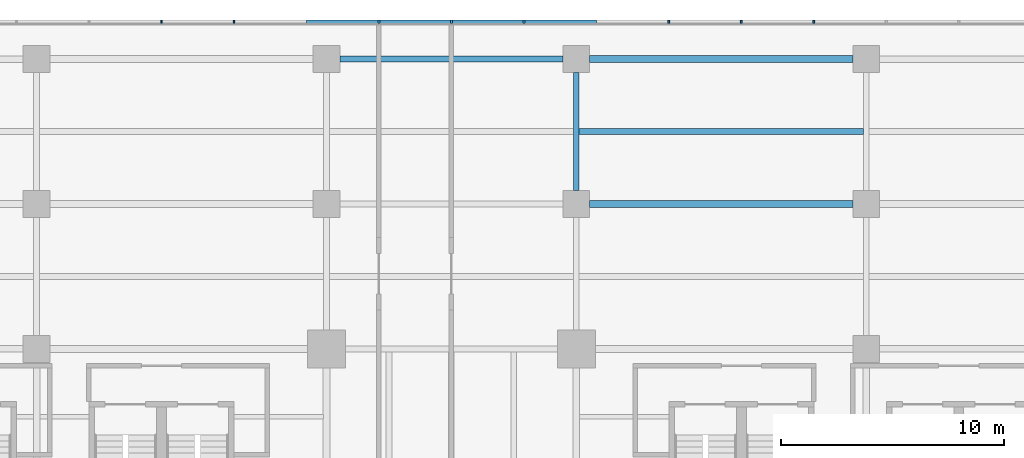
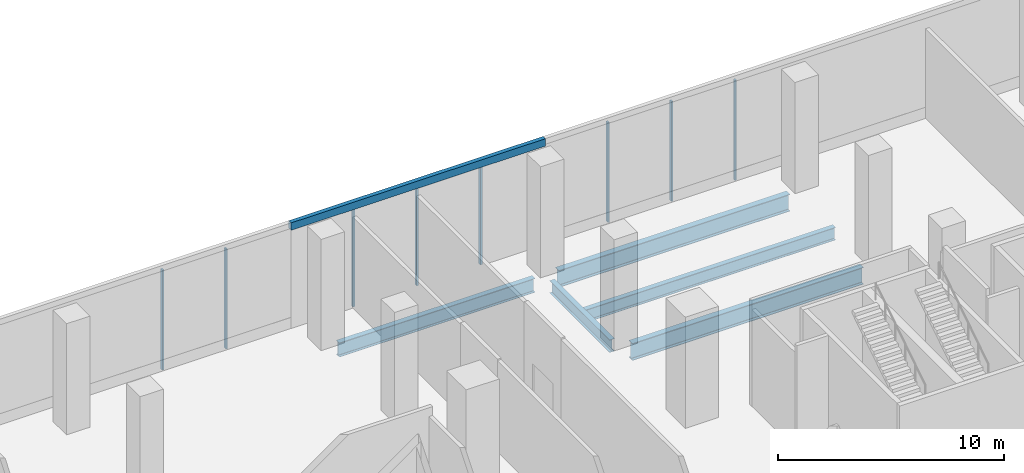
# One storey, part 25 of 41: 9 members, 5 beams, 3 elements without a shape of their own.
"""IFC4 building model written with IfcOpenShell, lengths in metres."""

from ifc_helpers import new_model, si_unit, direction, frame, origin, origin_2d, place, context, subcontext, project, spatial, polyline, rectangle, i_section, outline, extrude, source, transform, mapped, material, layer, layer_set, material_profile, profile_set, type_object, element, aggregate, save


model = new_model("IFC4")

# Units and contexts
model_context = context("Model", 3, precision=1e-05, world=origin(), true_north=direction((0.0, 1.0)))
body_context = subcontext(model_context, "Body", "Model", "MODEL_VIEW")
ifc_project = project(units=[si_unit("LENGTHUNIT", "METRE"), si_unit("AREAUNIT", "SQUARE_METRE"), si_unit("VOLUMEUNIT", "CUBIC_METRE"), si_unit("PLANEANGLEUNIT", "RADIAN"), si_unit("MASSUNIT", "GRAM", prefix="KILO")], contexts=[model_context])

# Site, building, storey
site_placement = place(None, origin())
site = spatial("IfcSite", under=ifc_project, at=site_placement, CompositionType="ELEMENT")
building_placement = place(site_placement, origin())
building = spatial("IfcBuilding", under=site, at=building_placement, Name="Trellis Farm Tower", CompositionType="ELEMENT")
storey_placement = place(building_placement, frame((0.0, 0.0, 8.0)))
storey = spatial("IfcBuildingStorey", under=building, at=storey_placement, Name="L01", CompositionType="ELEMENT", Elevation=8.0)

# Curtain wall, member
ifc_material_1 = material(Name="Aluminium and glass curtain wall", Category="aluminium")
ifc_layer_1 = layer(ifc_material_1, 0.2099609375)
ifc_layer_set_1 = layer_set([ifc_layer_1], Name="LOBBY CURTAIN WALL CW4")
curtain_wall_type_1 = type_object("IfcCurtainWallType", Name="LOBBY CURTAIN WALL CW4", PredefinedType="NOTDEFINED", material=ifc_layer_set_1)
placement = place(storey_placement, origin())
curtain_wall_1 = element("IfcCurtainWall", 1, at=placement, inside=storey, type_object=curtain_wall_type_1, Name="CW4 002", PredefinedType="NOTDEFINED")
ifc_material_2 = material(Name="Aluminium extrusion 6063-T6", Category="aluminium")
ifc_layer_2 = layer(ifc_material_2, 0.2099609375)
ifc_layer_set_2 = layer_set([ifc_layer_2], Name="Aluminium extrusion 6063-T6")
member_type_1 = type_object("IfcMemberType", Name="CW4 TRANSOM 210x400", PredefinedType="USERDEFINED", material=ifc_layer_set_2)
member_1_placement = place(storey_placement, frame((0.0, 0.0, 5.300048828125)))
member_1 = element("IfcMember", 2, at=member_1_placement, type_object=member_type_1, Name="TR4 002", ObjectType="TRANSOM", PredefinedType="USERDEFINED", context=body_context, shape_type="SweptSolid", body=[
    extrude(outline(polyline([(6.5, 45.5), (-6.5, 45.5), (-6.5, 45.2900390625), (6.5, 45.2900390625), (6.5, 45.5)])), origin(), (0.0, 0.0, 1.0), 0.39990234375),
])

# Beams
ifc_material_3 = material(Name="Steel S355", Category="steel")
ifc_material_profile_1 = material_profile(ifc_material_3, i_section(OverallWidth=0.253662109375, OverallDepth=0.68359375, WebThickness=0.012451171875, FlangeThickness=0.021728515625, FilletRadius=0.01513671875, at=origin_2d()), Name="UB 686x254x140")
ifc_profile_set_1 = profile_set([ifc_material_profile_1], Name="Steel S355")
beam_type_1 = type_object("IfcBeamType", Name="UB 686x254x140", PredefinedType="BEAM", material=ifc_profile_set_1)
shared_shape_1 = source(origin(), body_context, "Body", "SweptSolid", [
    extrude(i_section(OverallWidth=0.253662109375, OverallDepth=0.68359375, WebThickness=0.012451171875, FlangeThickness=0.021728515625, FilletRadius=0.01513671875, at=origin_2d()), origin(), (0.0, 0.0, 1.0), 5.2998046875),
])
beam_1_placement = place(storey_placement, frame((5.60009765625, 37.85009765625, -0.641845703125), z_axis=(0.0, 1.0, 0.0), x_axis=(-1.0, 0.0, 0.0)))
element("IfcBeam", 3, at=beam_1_placement, inside=storey, type_object=beam_type_1, Name="Girder", PredefinedType="BEAM", context=body_context, shape_type="MappedRepresentation", body=[
    mapped(shared_shape_1, transform((0.0, 0.0, 0.0))),
])
ifc_material_profile_2 = material_profile(ifc_material_3, i_section(OverallWidth=0.305419921875, OverallDepth=0.91845703125, WebThickness=0.017333984375, FlangeThickness=0.02783203125, FilletRadius=0.01904296875, at=origin_2d()), Name="UB 914x305x253")
ifc_profile_set_2 = profile_set([ifc_material_profile_2], Name="Steel S355")
beam_type_2 = type_object("IfcBeamType", Name="UB 914x305x253", PredefinedType="BEAM", material=ifc_profile_set_2)
shared_shape_2 = source(origin(), body_context, "Body", "SweptSolid", [
    extrude(i_section(OverallWidth=0.305419921875, OverallDepth=0.91845703125, WebThickness=0.017333984375, FlangeThickness=0.02783203125, FilletRadius=0.01904296875, at=origin_2d()), origin(), (0.0, 0.0, 1.0), 11.800048828125),
])
for number, where, z_axis, x_axis, name in (
    (4, (6.199951171875, 37.25, -0.75927734375), (1.0, 0.0, 0.0), (0.0, 1.0, 0.0), "Girder"),
    (5, (6.199951171875, 43.75, -0.75927734375), (1.0, 0.0, 0.0), (0.0, 1.0, 0.0), "Girder"),
):
    element("IfcBeam", number, at=place(storey_placement, frame(where, z_axis=z_axis, x_axis=x_axis)), inside=storey, type_object=beam_type_2, Name=name, PredefinedType="BEAM", context=body_context, shape_type="MappedRepresentation", body=[
        mapped(shared_shape_2, transform((0.0, 0.0, 0.0))),
    ])
ifc_material_profile_3 = material_profile(ifc_material_3, i_section(OverallWidth=0.2666015625, OverallDepth=0.76220703125, WebThickness=0.014404296875, FlangeThickness=0.021484375, FilletRadius=0.0166015625, at=origin_2d()), Name="UB 762x267x173")
ifc_profile_set_3 = profile_set([ifc_material_profile_3], Name="Steel S355")
beam_type_3 = type_object("IfcBeamType", Name="UB 762x267x173", PredefinedType="BEAM", material=ifc_profile_set_3)
shared_shape_3 = source(origin(), body_context, "Body", "SweptSolid", [
    extrude(i_section(OverallWidth=0.2666015625, OverallDepth=0.76220703125, WebThickness=0.014404296875, FlangeThickness=0.021484375, FilletRadius=0.0166015625, at=origin_2d()), origin(), (0.0, 0.0, 1.0), 10.0),
])
beam_2_placement = place(storey_placement, frame((-5.0, 43.75, -0.68115234375), z_axis=(1.0, 0.0, 0.0), x_axis=(0.0, 1.0, 0.0)))
element("IfcBeam", 6, at=beam_2_placement, inside=storey, type_object=beam_type_3, Name="Girder", PredefinedType="BEAM", context=body_context, shape_type="MappedRepresentation", body=[
    mapped(shared_shape_3, transform((0.0, 0.0, 0.0))),
])
ifc_material_profile_4 = material_profile(ifc_material_3, i_section(OverallWidth=0.253662109375, OverallDepth=0.68359375, WebThickness=0.012451171875, FlangeThickness=0.021728515625, FilletRadius=0.01513671875, at=origin_2d()), Name="UB 686x254x140")
ifc_profile_set_4 = profile_set([ifc_material_profile_4], Name="Steel S355")
beam_type_4 = type_object("IfcBeamType", Name="UB 686x254x140 joist", PredefinedType="JOIST", material=ifc_profile_set_4)
shared_shape_4 = source(origin(), body_context, "Body", "SweptSolid", [
    extrude(i_section(OverallWidth=0.253662109375, OverallDepth=0.68359375, WebThickness=0.012451171875, FlangeThickness=0.021728515625, FilletRadius=0.01513671875, at=origin_2d()), origin(), (0.0, 0.0, 1.0), 12.746337890625),
])
beam_3_placement = place(storey_placement, frame((5.726806640625, 40.5, -0.641845703125), z_axis=(1.0, 0.0, 0.0), x_axis=(0.0, 1.0, 0.0)))
element("IfcBeam", 7, at=beam_3_placement, inside=storey, type_object=beam_type_4, Name="Floor beam", PredefinedType="JOIST", context=body_context, shape_type="MappedRepresentation", body=[
    mapped(shared_shape_4, transform((0.0, 0.0, 0.0))),
])

# Curtain wall, members
ifc_layer_3 = layer(ifc_material_1, 0.201904296875)
ifc_layer_set_3 = layer_set([ifc_layer_3], Name="SHOPFRONT CURTAIN WALL CW2")
curtain_wall_type_2 = type_object("IfcCurtainWallType", Name="SHOPFRONT CURTAIN WALL CW2", PredefinedType="NOTDEFINED", material=ifc_layer_set_3)
curtain_wall_2 = element("IfcCurtainWall", 8, at=placement, inside=storey, type_object=curtain_wall_type_2, Name="CW2 003", PredefinedType="NOTDEFINED")
ifc_material_profile_5 = material_profile(ifc_material_2, rectangle(XDim=0.080078125, YDim=0.14990234375, at=origin_2d()), Name="MULLION 80x150")
ifc_profile_set_5 = profile_set([ifc_material_profile_5], Name="Aluminium extrusion 6063-T6")
member_type_2 = type_object("IfcMemberType", Name="CW2 MULLION 80x150", PredefinedType="MULLION", material=ifc_profile_set_5)
shared_shape_5 = source(origin(), body_context, "Body", "SweptSolid", [
    extrude(rectangle(XDim=0.080078125, YDim=0.14990234375, at=origin_2d()), origin(), (0.0, 0.0, 1.0), 5.39990234375),
])
member_2_placement = place(storey_placement, frame((16.25, 45.425048828125, 0.0), z_axis=(0.0, 0.0, 1.0), x_axis=(-1.0, 0.0, 0.0)))
member_2 = element("IfcMember", 9, at=member_2_placement, type_object=member_type_2, Name="MU2 003-08", PredefinedType="MULLION", context=body_context, shape_type="MappedRepresentation", body=[
    mapped(shared_shape_5, transform((0.0, 0.0, 0.0))),
])
member_3_placement = place(storey_placement, frame((13.0, 45.425048828125, 0.0), z_axis=(0.0, 0.0, 1.0), x_axis=(-1.0, 0.0, 0.0)))
member_3 = element("IfcMember", 10, at=member_3_placement, type_object=member_type_2, Name="MU2 003-09", PredefinedType="MULLION", context=body_context, shape_type="MappedRepresentation", body=[
    mapped(shared_shape_5, transform((0.0, 0.0, 0.0))),
])
member_4_placement = place(storey_placement, frame((9.75, 45.425048828125, 0.0), z_axis=(0.0, 0.0, 1.0), x_axis=(-1.0, 0.0, 0.0)))
member_4 = element("IfcMember", 11, at=member_4_placement, type_object=member_type_2, Name="MU2 003-10", PredefinedType="MULLION", context=body_context, shape_type="MappedRepresentation", body=[
    mapped(shared_shape_5, transform((0.0, 0.0, 0.0))),
])
aggregate(curtain_wall_2, [member_2, member_3, member_4])

curtain_wall_3 = element("IfcCurtainWall", 12, at=placement, inside=storey, type_object=curtain_wall_type_2, Name="CW2 004", PredefinedType="NOTDEFINED")
member_5_placement = place(storey_placement, frame((-9.75, 45.425048828125, 0.0), z_axis=(0.0, 0.0, 1.0), x_axis=(-1.0, 0.0, 0.0)))
member_5 = element("IfcMember", 13, at=member_5_placement, type_object=member_type_2, Name="MU2 004-01", PredefinedType="MULLION", context=body_context, shape_type="MappedRepresentation", body=[
    mapped(shared_shape_5, transform((0.0, 0.0, 0.0))),
])
member_6_placement = place(storey_placement, frame((-13.0, 45.425048828125, 0.0), z_axis=(0.0, 0.0, 1.0), x_axis=(-1.0, 0.0, 0.0)))
member_6 = element("IfcMember", 14, at=member_6_placement, type_object=member_type_2, Name="MU2 004-02", PredefinedType="MULLION", context=body_context, shape_type="MappedRepresentation", body=[
    mapped(shared_shape_5, transform((0.0, 0.0, 0.0))),
])
aggregate(curtain_wall_3, [member_5, member_6])

# Member
ifc_material_profile_6 = material_profile(ifc_material_2, rectangle(XDim=0.10009765625, YDim=0.14990234375, at=origin_2d()), Name="MULLION 100x150")
ifc_profile_set_6 = profile_set([ifc_material_profile_6], Name="Aluminium extrusion 6063-T6")
member_type_3 = type_object("IfcMemberType", Name="CW4 MULLION 100x150", PredefinedType="MULLION", material=ifc_profile_set_6)
shared_shape_6 = source(origin(), body_context, "Body", "SweptSolid", [
    extrude(rectangle(XDim=0.10009765625, YDim=0.14990234375, at=origin_2d()), origin(), (0.0, 0.0, 1.0), 5.300048828125),
])
member_7_placement = place(storey_placement, frame((3.25, 45.425048828125, 0.0), z_axis=(0.0, 0.0, 1.0), x_axis=(-1.0, 0.0, 0.0)))
member_7 = element("IfcMember", 15, at=member_7_placement, type_object=member_type_3, Name="MU4 002-01", PredefinedType="MULLION", context=body_context, shape_type="MappedRepresentation", body=[
    mapped(shared_shape_6, transform((0.0, 0.0, 0.0))),
])

member_8_placement = place(storey_placement, frame((0.0, 45.425048828125, 0.0), z_axis=(0.0, 0.0, 1.0), x_axis=(-1.0, 0.0, 0.0)))
member_8 = element("IfcMember", 16, at=member_8_placement, type_object=member_type_3, Name="MU4 002-02", PredefinedType="MULLION", context=body_context, shape_type="MappedRepresentation", body=[
    mapped(shared_shape_6, transform((0.0, 0.0, 0.0))),
])

member_9_placement = place(storey_placement, frame((-3.25, 45.425048828125, 0.0), z_axis=(0.0, 0.0, 1.0), x_axis=(-1.0, 0.0, 0.0)))
member_9 = element("IfcMember", 17, at=member_9_placement, type_object=member_type_3, Name="MU4 002-03", PredefinedType="MULLION", context=body_context, shape_type="MappedRepresentation", body=[
    mapped(shared_shape_6, transform((0.0, 0.0, 0.0))),
])

aggregate(curtain_wall_1, [member_7, member_8, member_9, member_1])

save(model, "model.ifc")
